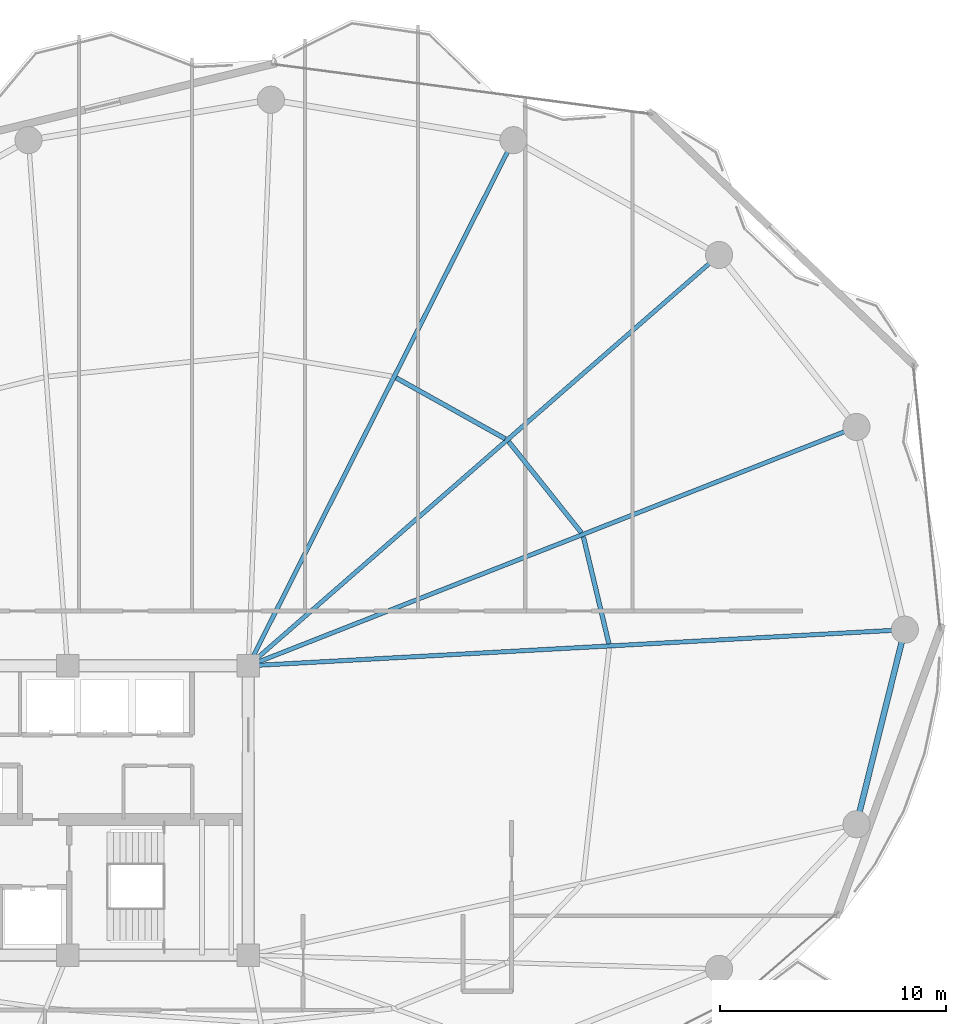
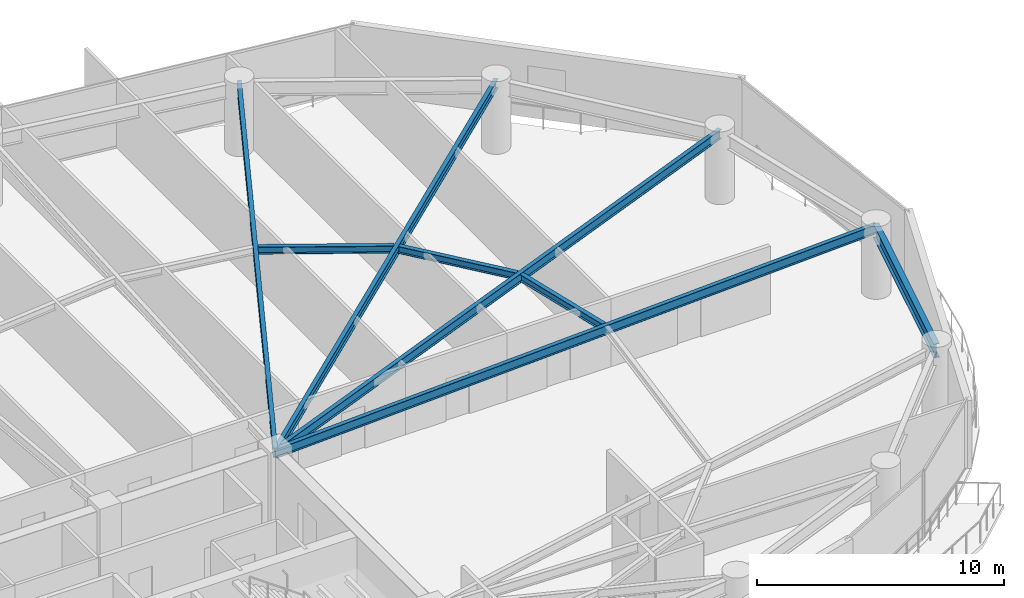
# One storey, part 14 of 30: 8 beams.
"""IFC4 building model written with IfcOpenShell, lengths in metres."""

from ifc_helpers import new_model, si_unit, direction, frame, origin, origin_2d, place, context, subcontext, project, spatial, i_section, extrude, material, material_profile, profile_set, type_object, element, save


model = new_model("IFC4")

# Units and contexts
model_context = context("Model", 3, precision=1e-05, world=origin(), true_north=direction((0.0, 1.0)))
body_context = subcontext(model_context, "Body", "Model", "MODEL_VIEW")
ifc_project = project(units=[si_unit("LENGTHUNIT", "METRE"), si_unit("AREAUNIT", "SQUARE_METRE"), si_unit("VOLUMEUNIT", "CUBIC_METRE"), si_unit("PLANEANGLEUNIT", "RADIAN"), si_unit("MASSUNIT", "GRAM", prefix="KILO")], contexts=[model_context])

# Site, building, storey
site_placement = place(None, origin())
site = spatial("IfcSite", under=ifc_project, at=site_placement, CompositionType="ELEMENT")
building_placement = place(site_placement, origin())
building = spatial("IfcBuilding", under=site, at=building_placement, Name="Kazevale Care Tower and Concert Hall", CompositionType="ELEMENT")
storey_placement = place(building_placement, frame((0.0, 0.0, 127.800048828125)))
storey = spatial("IfcBuildingStorey", under=building, at=storey_placement, Name="L33", CompositionType="ELEMENT", Elevation=127.800048828125)

# Beams
ifc_material = material(Name="Steel ASTM A572 Gr 50", Category="steel")
ifc_material_profile_1 = material_profile(ifc_material, i_section(OverallWidth=0.19091796875, OverallDepth=0.4599609375, WebThickness=0.010009765625, FlangeThickness=0.01611328125, at=origin_2d()), Name="W460x82")
ifc_profile_set_1 = profile_set([ifc_material_profile_1], Name="Steel ASTM A572 Gr 50")
beam_type_1 = type_object("IfcBeamType", Name="Radial Floor Beam W460x82", PredefinedType="BEAM", material=ifc_profile_set_1)
beam_1_placement = place(storey_placement, frame((44.0, 36.39990234375, 3.1298828125), z_axis=(0.998486500016, 0.054997357076, 0.0), x_axis=(-0.054997357076, 0.998486500016, 0.0)))
element("IfcBeam", 1, at=beam_1_placement, inside=storey, type_object=beam_type_1, Name="beam:L33:rad:01", PredefinedType="BEAM", context=body_context, shape_type="SweptSolid", body=[
    extrude(i_section(OverallWidth=0.19091796875, OverallDepth=0.4599609375, WebThickness=0.010009765625, FlangeThickness=0.01611328125, at=origin_2d()), origin(), (0.0, 0.0, 1.0), 29.093994140625),
])
beam_2_placement = place(storey_placement, frame((44.0, 36.39990234375, 3.1298828125), z_axis=(0.930771301513, 0.36560194786, 0.0), x_axis=(-0.36560194786, 0.930771301513, 0.0)))
element("IfcBeam", 2, at=beam_2_placement, inside=storey, type_object=beam_type_1, Name="beam:L33:rad:02", PredefinedType="BEAM", context=body_context, shape_type="SweptSolid", body=[
    extrude(i_section(OverallWidth=0.19091796875, OverallDepth=0.4599609375, WebThickness=0.010009765625, FlangeThickness=0.01611328125, at=origin_2d()), origin(), (0.0, 0.0, 1.0), 28.911376953125),
])
beam_3_placement = place(storey_placement, frame((44.0, 36.39990234375, 3.1298828125), z_axis=(0.753403181998, 0.657558853149, 0.0), x_axis=(-0.657558853149, 0.753403181998, 0.0)))
element("IfcBeam", 3, at=beam_3_placement, inside=storey, type_object=beam_type_1, Name="beam:L33:rad:03", PredefinedType="BEAM", context=body_context, shape_type="SweptSolid", body=[
    extrude(i_section(OverallWidth=0.19091796875, OverallDepth=0.4599609375, WebThickness=0.010009765625, FlangeThickness=0.01611328125, at=origin_2d()), origin(), (0.0, 0.0, 1.0), 27.64794921875),
])
beam_4_placement = place(storey_placement, frame((44.0, 36.39990234375, 3.1298828125), z_axis=(0.450281187568, 0.892886808124, 0.0), x_axis=(-0.892886808124, 0.450281187568, 0.0)))
element("IfcBeam", 4, at=beam_4_placement, inside=storey, type_object=beam_type_1, Name="beam:L33:rad:04", PredefinedType="BEAM", context=body_context, shape_type="SweptSolid", body=[
    extrude(i_section(OverallWidth=0.19091796875, OverallDepth=0.4599609375, WebThickness=0.010009765625, FlangeThickness=0.01611328125, at=origin_2d()), origin(), (0.0, 0.0, 1.0), 26.05029296875),
])
ifc_material_profile_2 = material_profile(ifc_material, i_section(OverallWidth=0.205078125, OverallDepth=0.35400390625, WebThickness=0.009521484375, FlangeThickness=0.016845703125, at=origin_2d()), Name="W360x79")
ifc_profile_set_2 = profile_set([ifc_material_profile_2], Name="Steel ASTM A572 Gr 50")
beam_type_2 = type_object("IfcBeamType", Name="Secondary Floor Joist W360x79", PredefinedType="JOIST", material=ifc_profile_set_2)
beam_5_placement = place(storey_placement, frame((59.952880859375, 37.382080078125, 3.182861328125), z_axis=(-0.232005223279, 0.972714540023, 0.0), x_axis=(-0.972714540023, -0.232005223279, 0.0)))
element("IfcBeam", 5, at=beam_5_placement, inside=storey, type_object=beam_type_2, Name="beam:L33:joist:01", PredefinedType="JOIST", context=body_context, shape_type="SweptSolid", body=[
    extrude(i_section(OverallWidth=0.205078125, OverallDepth=0.35400390625, WebThickness=0.009521484375, FlangeThickness=0.016845703125, at=origin_2d()), origin(), (0.0, 0.0, 1.0), 4.861572265625),
])
beam_6_placement = place(storey_placement, frame((58.735107421875, 42.2958984375, 3.182861328125), z_axis=(-0.624261115922, 0.781215757104, 0.0), x_axis=(-0.781215757104, -0.624261115922, 0.0)))
element("IfcBeam", 6, at=beam_6_placement, inside=storey, type_object=beam_type_2, Name="beam:L33:joist:02", PredefinedType="JOIST", context=body_context, shape_type="SweptSolid", body=[
    extrude(i_section(OverallWidth=0.205078125, OverallDepth=0.35400390625, WebThickness=0.009521484375, FlangeThickness=0.016845703125, at=origin_2d()), origin(), (0.0, 0.0, 1.0), 5.147216796875),
])
beam_7_placement = place(storey_placement, frame((55.364990234375, 46.449951171875, 3.182861328125), z_axis=(-0.873137755824, 0.487473547338, 0.0), x_axis=(-0.487473547338, -0.873137755824, 0.0)))
element("IfcBeam", 7, at=beam_7_placement, inside=storey, type_object=beam_type_2, Name="beam:L33:joist:03", PredefinedType="JOIST", context=body_context, shape_type="SweptSolid", body=[
    extrude(i_section(OverallWidth=0.205078125, OverallDepth=0.35400390625, WebThickness=0.009521484375, FlangeThickness=0.016845703125, at=origin_2d()), origin(), (0.0, 0.0, 1.0), 5.522705078125),
])
ifc_material_profile_3 = material_profile(ifc_material, i_section(OverallWidth=0.256103515625, OverallDepth=0.693115234375, WebThickness=0.014404296875, FlangeThickness=0.023681640625, at=origin_2d()), Name="W690x170")
ifc_profile_set_3 = profile_set([ifc_material_profile_3], Name="Steel ASTM A572 Gr 50")
beam_type_3 = type_object("IfcBeamType", Name="Waist Ring Beam W690x170", PredefinedType="BEAM", material=ifc_profile_set_3)
beam_8_placement = place(storey_placement, frame((70.909912109375, 29.389892578125, 3.013427734375), z_axis=(0.241221022882, 0.970470204653, 0.0), x_axis=(-0.970470204653, 0.241221022882, 0.0)))
element("IfcBeam", 8, at=beam_8_placement, inside=storey, type_object=beam_type_3, Name="beam:L33:ring:16", PredefinedType="BEAM", context=body_context, shape_type="SweptSolid", body=[
    extrude(i_section(OverallWidth=0.256103515625, OverallDepth=0.693115234375, WebThickness=0.014404296875, FlangeThickness=0.023681640625, at=origin_2d()), origin(), (0.0, 0.0, 1.0), 8.8720703125),
])

save(model, "model.ifc")
